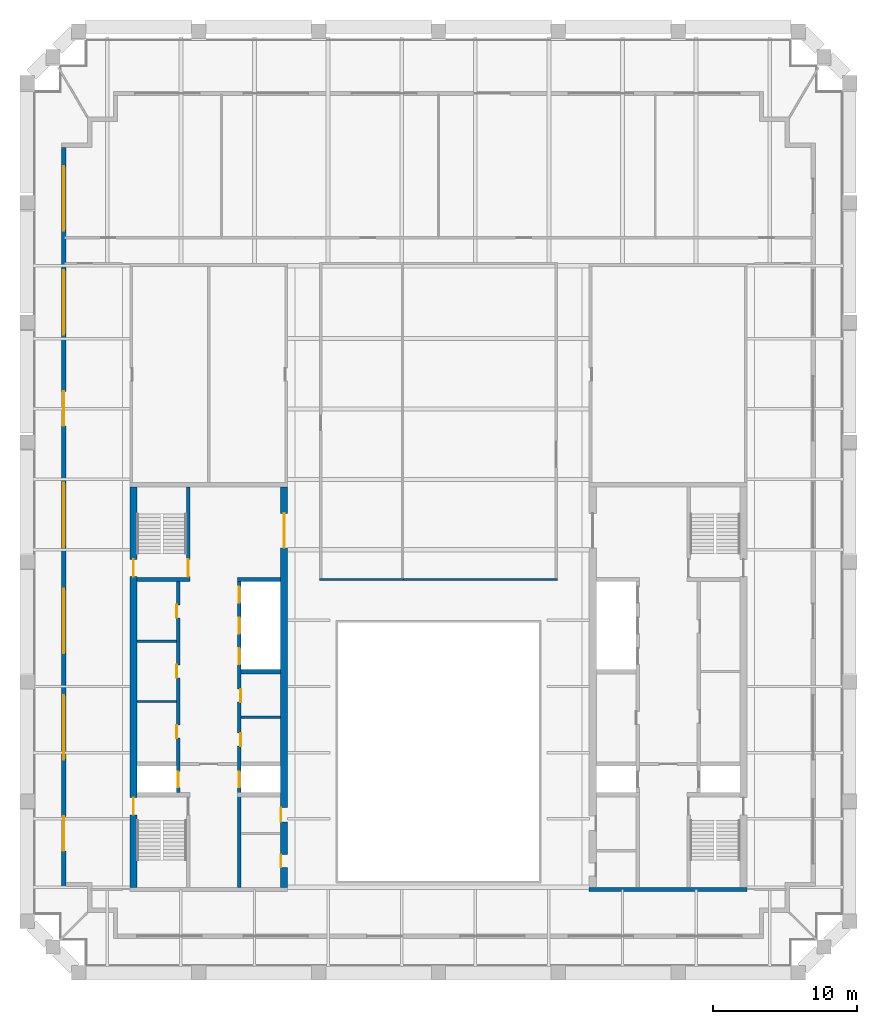
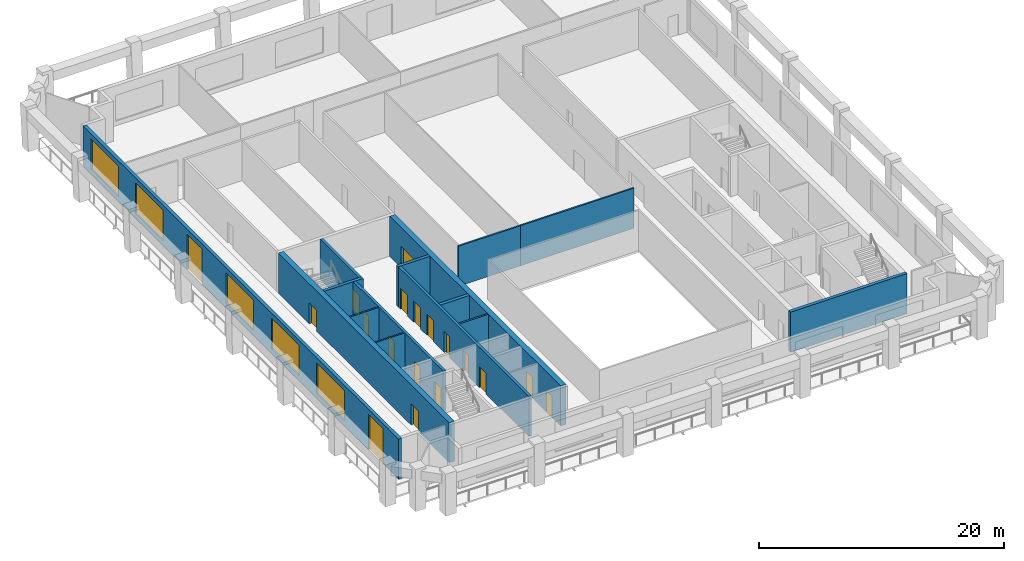
# One storey, part 3 of 7: 18 doors, 15 walls, 5 windows, 23 openings.
"""IFC4 building model written with IfcOpenShell, lengths in metres."""

import ifcopenshell
import ifcopenshell.guid

model = None  # the IFC model being written
_history = None  # IfcOwnerHistory: only IFC2X3 demands one
_inside = {}  # id of a spatial element -> (the spatial element, [elements in it])
_under = {}  # id of a project, library or spatial element -> (it, [spatial elements below it])
_declared = {}  # id of a project -> (the project, [libraries it declares])
_typed = {}  # id of a type object -> (the type object, [elements of that type])
_made_of = {}  # id of a material, layer set ... -> (it, [elements and type objects made of it])


def new_model(schema):
    """Start an empty IFC model of exactly this schema.

    Asked for "IFC4X3", IfcOpenShell would pick the latest addendum, in which some entities
    have other attributes; the version numbers below select the first issue.
    IFC2X3 requires an IfcOwnerHistory on every rooted entity: one is made here for all.
    """
    global model, _history
    if schema == "IFC4X3":
        model = ifcopenshell.file(schema_version=(4, 3, 0, 0))
    else:
        model = ifcopenshell.file(schema=schema)
    _inside.clear()
    _under.clear()
    _declared.clear()
    _typed.clear()
    _made_of.clear()
    _history = None
    if model.schema == "IFC2X3":
        org = make("IfcOrganization", Name="unknown")
        user = make(
            "IfcPersonAndOrganization",
            ThePerson=make("IfcPerson", FamilyName="unknown"),
            TheOrganization=org,
        )
        app = make(
            "IfcApplication",
            ApplicationDeveloper=org,
            Version="unknown",
            ApplicationFullName="unknown",
            ApplicationIdentifier="unknown",
        )
        _history = make(
            "IfcOwnerHistory",
            OwningUser=user,
            OwningApplication=app,
            ChangeAction="ADDED",
            CreationDate=0,
        )
    return model


def make(cls, **values):
    """One entity of the class cls with the attributes given. An attribute that is None is left unset."""
    return model.create_entity(
        cls, **{name: value for name, value in values.items() if value is not None}
    )


def rooted(cls, **values):
    """An entity with a GlobalId (a new one), such as an element, a storey or a relation."""
    return make(cls, GlobalId=ifcopenshell.guid.new(), OwnerHistory=_history, **values)


def si_unit(unit_type, name, prefix=None):
    """IfcSIUnit, for example si_unit("LENGTHUNIT", "METRE", prefix="MILLI")."""
    return make("IfcSIUnit", UnitType=unit_type, Prefix=prefix, Name=name)


def assignment(units):
    """IfcUnitAssignment: the units of a project."""
    return None if units is None else make("IfcUnitAssignment", Units=units)


def point(xyz):
    """IfcCartesianPoint."""
    return None if xyz is None else make("IfcCartesianPoint", Coordinates=xyz)


def direction(xyz):
    """IfcDirection."""
    return None if xyz is None else make("IfcDirection", DirectionRatios=xyz)


def frame(location, z_axis=None, x_axis=None):
    """IfcAxis2Placement3D, a coordinate frame: its origin and axes. An axis left out is left unset."""
    return make(
        "IfcAxis2Placement3D",
        Location=point(location),
        Axis=direction(z_axis),
        RefDirection=direction(x_axis),
    )


def frame_2d(location, x_axis=None):
    """IfcAxis2Placement2D, a coordinate frame in the plane: its origin and x axis."""
    return make(
        "IfcAxis2Placement2D", Location=point(location), RefDirection=direction(x_axis)
    )


def origin():
    """The frame at (0, 0, 0) with its axes left unset."""
    return frame((0.0, 0.0, 0.0))


def place(relative_to, where):
    """IfcLocalPlacement: puts the frame where relative to a parent placement (None: the world)."""
    return make(
        "IfcLocalPlacement", PlacementRelTo=relative_to, RelativePlacement=where
    )


def context(
    kind, dimensions, precision=None, world=None, true_north=None, identifier=None
):
    """IfcGeometricRepresentationContext, for example the 3D "Model" context."""
    return make(
        "IfcGeometricRepresentationContext",
        ContextIdentifier=identifier,
        ContextType=kind,
        CoordinateSpaceDimension=dimensions,
        Precision=precision,
        WorldCoordinateSystem=world,
        TrueNorth=true_north,
    )


def subcontext(parent, identifier, kind, view, scale=None):
    """IfcGeometricRepresentationSubContext, for example "Body" below "Model"."""
    return make(
        "IfcGeometricRepresentationSubContext",
        ContextIdentifier=identifier,
        ContextType=kind,
        ParentContext=parent,
        TargetScale=scale,
        TargetView=view,
    )


def project(units=None, contexts=None):
    """IfcProject with its units and contexts."""
    return rooted(
        "IfcProject",
        Name="project",
        RepresentationContexts=contexts,
        UnitsInContext=assignment(units),
    )


def spatial(cls, under=None, at=None, **own):
    """A site, building, storey or space (cls), placed at a placement, below another one or the project."""
    s = rooted(cls, ObjectPlacement=at, **own)
    if under is not None:
        _under.setdefault(under.id(), (under, []))[1].append(s)
    return s


def profile(cls, at=None, kind="AREA", **sizes):
    """A parametric profile (cls). Its sizes go by their IFC names, for example OverallWidth=200.0."""
    return make(cls, ProfileType=kind, Position=at, **sizes)


def rectangle(**sizes):
    """IfcRectangleProfileDef."""
    return profile("IfcRectangleProfileDef", **sizes)


def extrude(swept, where, along, depth):
    """IfcExtrudedAreaSolid: the profile swept, set in the frame where, extruded along a direction by depth."""
    return make(
        "IfcExtrudedAreaSolid",
        SweptArea=swept,
        Position=where,
        ExtrudedDirection=direction(along),
        Depth=depth,
    )


def shape(context_of_items, identifier, shape_type, items):
    """IfcShapeRepresentation: the items that make up one representation, for example the "Body"."""
    return make(
        "IfcShapeRepresentation",
        ContextOfItems=context_of_items,
        RepresentationIdentifier=identifier,
        RepresentationType=shape_type,
        Items=items,
    )


def material(Name=None, Category=None):
    """IfcMaterial."""
    return make("IfcMaterial", Name=Name, Category=Category)


def layer(
    of_material, thickness, ventilated=None, Name=None, Category=None, Priority=None
):
    """IfcMaterialLayer: one layer of a wall or slab, of a material (None: an air gap)."""
    return make(
        "IfcMaterialLayer",
        Material=of_material,
        LayerThickness=thickness,
        IsVentilated=ventilated,
        Name=Name,
        Category=Category,
        Priority=Priority,
    )


def layer_set(layers, Name=None):
    """IfcMaterialLayerSet."""
    return make("IfcMaterialLayerSet", MaterialLayers=layers, LayerSetName=Name)


def made_of(thing, what):
    """Note that an element or type object is made of a material, layer set ...; save() writes the relation."""
    if what is not None:
        _made_of.setdefault(what.id(), (what, []))[1].append(thing)
    return thing


def type_object(cls, material=None, **own):
    """A type object (cls), such as IfcWallType, which elements share."""
    return made_of(rooted(cls, **own), material)


def element(
    cls,
    number,
    at=None,
    inside=None,
    cuts=None,
    type_object=None,
    material=None,
    context=None,
    identifier="Body",
    shape_type=None,
    held_by="IfcProductDefinitionShape",
    body=None,
    shapes=None,
    **own,
):
    """One element of the class cls, such as IfcWall. Its Tag is "e" and its number.

    at: its placement. inside: the storey or other place that contains it. cuts: it is an
    opening in that element (IfcRelVoidsElement). A single representation is given by context,
    identifier, shape_type and body (its items); several are given by shapes. held_by: the class
    of the entity that holds the representations. save() writes the other relations.
    """
    e = rooted(cls, Tag="e%d" % number, ObjectPlacement=at, **own)
    if body is not None:
        shapes = [shape(context, identifier, shape_type, body)]
    if shapes is not None:
        e.Representation = make(held_by, Representations=shapes)
    if inside is not None:
        _inside.setdefault(inside.id(), (inside, []))[1].append(e)
    if cuts is not None:
        rooted(
            "IfcRelVoidsElement", RelatingBuildingElement=cuts, RelatedOpeningElement=e
        )
    if type_object is not None:
        _typed.setdefault(type_object.id(), (type_object, []))[1].append(e)
    return made_of(e, material)


def fill(opening, filler):
    """IfcRelFillsElement: the door or window that sits in an opening."""
    return rooted(
        "IfcRelFillsElement",
        RelatingOpeningElement=opening,
        RelatedBuildingElement=filler,
    )


def aggregate(whole, parts):
    """IfcRelAggregates: a whole, such as a stair, and the parts it consists of."""
    return rooted("IfcRelAggregates", RelatingObject=whole, RelatedObjects=parts)


def save(model, path):
    """Write the relations noted so far, then the file.

    IfcRelAggregates (storeys below a building ...), IfcRelContainedInSpatialStructure (elements
    in a storey), IfcRelDefinesByType, IfcRelAssociatesMaterial and IfcRelDeclares: one each for
    every whole, place, type object, material and project.
    """
    for whole, parts in _under.values():
        aggregate(whole, parts)
    for where, things in _inside.values():
        rooted(
            "IfcRelContainedInSpatialStructure",
            RelatedElements=things,
            RelatingStructure=where,
        )
    for kind, things in _typed.values():
        rooted("IfcRelDefinesByType", RelatedObjects=things, RelatingType=kind)
    for what, things in _made_of.values():
        rooted("IfcRelAssociatesMaterial", RelatedObjects=things, RelatingMaterial=what)
    for by, libraries in _declared.values():
        rooted("IfcRelDeclares", RelatingContext=by, RelatedDefinitions=libraries)
    model.write(path)


model = new_model("IFC4")

# Units and contexts
model_context = context("Model", 3, precision=1e-05, world=origin(), true_north=direction((0.0, 1.0)))
body_context = subcontext(model_context, "Body", "Model", "MODEL_VIEW")
ifc_project = project(units=[si_unit("LENGTHUNIT", "METRE"), si_unit("AREAUNIT", "SQUARE_METRE"), si_unit("VOLUMEUNIT", "CUBIC_METRE"), si_unit("PLANEANGLEUNIT", "RADIAN"), si_unit("MASSUNIT", "GRAM", prefix="KILO")], contexts=[model_context])

# Site, building, storey
site_placement = place(None, origin())
site = spatial("IfcSite", under=ifc_project, at=site_placement, CompositionType="ELEMENT")
building_placement = place(site_placement, origin())
building = spatial("IfcBuilding", under=site, at=building_placement, Name="Ogive Exchange Tower", CompositionType="ELEMENT")
storey_placement = place(building_placement, frame((0.0, 0.0, 321.60009765625)))
storey = spatial("IfcBuildingStorey", under=building, at=storey_placement, Name="L70", CompositionType="ELEMENT", Elevation=321.60009765625)

# Walls
ifc_material_1 = material(Name="Gypsum board partition")
ifc_layer_1 = layer(ifc_material_1, 0.14990234375)
ifc_layer_set_1 = layer_set([ifc_layer_1], Name="Core room partition 150 gypsum")
wall_type_1 = type_object("IfcWallType", Name="Core room partition 150 gypsum", PredefinedType="PARTITIONING", material=ifc_layer_set_1)
for number, where, z_axis, x_axis, name in (
    (1, (-21.0, 10.5, 0.0), (0.0, 0.0, 1.0), (1.0, 0.0, 0.0), "W row A bay partition 1-1"),
    (2, (-21.0, 14.699951171875, 0.0), (0.0, 0.0, 1.0), (1.0, 0.0, 0.0), "W row A bay partition 1-2"),
    (3, (-13.75, 9.39990234375, 0.0), (0.0, 0.0, 1.0), (1.0, 0.0, 0.0), "W row B bay partition 1-1"),
):
    element("IfcWall", number, at=place(storey_placement, frame(where, z_axis=z_axis, x_axis=x_axis)), inside=storey, type_object=wall_type_1, Name=name, PredefinedType="PARTITIONING", context=body_context, shape_type="SweptSolid", body=[
        extrude(rectangle(XDim=2.75, YDim=0.14990234375, at=frame_2d((1.375, 0.0))), origin(), (0.0, 0.0, 1.0), 4.0),
    ])
ifc_material_2 = material(Name="Fire partition EI 60 150")
ifc_layer_2 = layer(ifc_material_2, 0.14990234375)
ifc_layer_set_2 = layer_set([ifc_layer_2], Name="Fire partition EI 60 150")
wall_type_2 = type_object("IfcWallType", Name="Fire partition EI 60 150", PredefinedType="PARTITIONING", material=ifc_layer_set_2)
wall_1_placement = place(storey_placement, frame((-8.27490234375, 19.0, 0.0), z_axis=(0.0, 0.0, 1.0), x_axis=(1.0, 0.0, 0.0)))
element("IfcWall", 4, at=wall_1_placement, inside=storey, type_object=wall_type_2, Name="L70-PWL-007", PredefinedType="PARTITIONING", context=body_context, shape_type="SweptSolid", body=[
    extrude(rectangle(XDim=5.824951171875, YDim=0.14990234375, at=frame_2d((2.91259765625, 0.0))), origin(), (0.0, 0.0, 1.0), 4.0),
])
wall_2_placement = place(storey_placement, frame((-2.5, 19.0, 0.0), z_axis=(0.0, 0.0, 1.0), x_axis=(1.0, 0.0, 0.0)))
element("IfcWall", 5, at=wall_2_placement, inside=storey, type_object=wall_type_2, Name="L70-PWL-011", PredefinedType="PARTITIONING", context=body_context, shape_type="SweptSolid", body=[
    extrude(rectangle(XDim=10.77490234375, YDim=0.14990234375, at=frame_2d((5.387451171875, 0.0))), origin(), (0.0, 0.0, 1.0), 4.0),
])

# Wall, openings, doors, windows
ifc_material_3 = material(Name="Precast concrete C40/50", Category="concrete")
ifc_layer_3 = layer(ifc_material_3, 0.300048828125)
ifc_layer_set_3 = layer_set([ifc_layer_3], Name="Limestone-faced wall 300")
wall_type_3 = type_object("IfcWallType", Name="Limestone-faced wall 300", PredefinedType="STANDARD", material=ifc_layer_set_3)
wall_3_placement = place(storey_placement, frame((-26.10009765625, 49.10009765625, 0.0), z_axis=(0.0, 0.0, 1.0), x_axis=(0.0, -1.0, 0.0)))
wall_3 = element("IfcWall", 6, at=wall_3_placement, inside=storey, type_object=wall_type_3, Name="External wall W4", PredefinedType="STANDARD", context=body_context, shape_type="SweptSolid", body=[
    extrude(rectangle(XDim=51.5, YDim=0.300048828125, at=frame_2d((25.75, 0.0))), origin(), (0.0, 0.0, 1.0), 4.0),
])
opening_1_placement = place(wall_3_placement, frame((1.300048828125, 0.0, 0.449951171875)))
opening_1 = element("IfcOpeningElement", 7, at=opening_1_placement, cuts=wall_3, Name="Opening W1", PredefinedType="OPENING", context=body_context, shape_type="SweptSolid", body=[
    extrude(rectangle(XDim=4.5, YDim=3.050048828125, at=frame_2d((2.25, 1.52490234375))), frame((0.0, 0.159912109375, 0.0), z_axis=(0.0, -1.0, 0.0), x_axis=(1.0, 0.0, 0.0)), (0.0, 0.0, 1.0), 0.320068359375),
])
opening_2_placement = place(wall_3_placement, frame((8.550048828125, 0.0, 0.449951171875)))
opening_2 = element("IfcOpeningElement", 8, at=opening_2_placement, cuts=wall_3, Name="Opening W1", PredefinedType="OPENING", context=body_context, shape_type="SweptSolid", body=[
    extrude(rectangle(XDim=4.5, YDim=3.050048828125, at=frame_2d((2.25, 1.52490234375))), frame((0.0, 0.159912109375, 0.0), z_axis=(0.0, -1.0, 0.0), x_axis=(1.0, 0.0, 0.0)), (0.0, 0.0, 1.0), 0.320068359375),
])
opening_3_placement = place(wall_3_placement, frame((17.0, 0.0, 0.0)))
opening_3 = element("IfcOpeningElement", 9, at=opening_3_placement, cuts=wall_3, Name="Opening D1", PredefinedType="OPENING", context=body_context, shape_type="SweptSolid", body=[
    extrude(rectangle(XDim=2.39990234375, YDim=3.5, at=frame_2d((1.199951171875, 1.75))), frame((0.0, 0.159912109375, 0.0), z_axis=(0.0, -1.0, 0.0), x_axis=(1.0, 0.0, 0.0)), (0.0, 0.0, 1.0), 0.320068359375),
])
opening_4_placement = place(wall_3_placement, frame((23.35009765625, 0.0, 0.449951171875)))
opening_4 = element("IfcOpeningElement", 10, at=opening_4_placement, cuts=wall_3, Name="Opening W1", PredefinedType="OPENING", context=body_context, shape_type="SweptSolid", body=[
    extrude(rectangle(XDim=4.5, YDim=3.050048828125, at=frame_2d((2.25, 1.52490234375))), frame((0.0, 0.159912109375, 0.0), z_axis=(0.0, -1.0, 0.0), x_axis=(1.0, 0.0, 0.0)), (0.0, 0.0, 1.0), 0.320068359375),
])
opening_5_placement = place(wall_3_placement, frame((30.75, 0.0, 0.449951171875)))
opening_5 = element("IfcOpeningElement", 11, at=opening_5_placement, cuts=wall_3, Name="Opening W1", PredefinedType="OPENING", context=body_context, shape_type="SweptSolid", body=[
    extrude(rectangle(XDim=4.5, YDim=3.050048828125, at=frame_2d((2.25, 1.52490234375))), frame((0.0, 0.159912109375, 0.0), z_axis=(0.0, -1.0, 0.0), x_axis=(1.0, 0.0, 0.0)), (0.0, 0.0, 1.0), 0.320068359375),
])
opening_6_placement = place(wall_3_placement, frame((38.14990234375, 0.0, 0.449951171875)))
opening_6 = element("IfcOpeningElement", 12, at=opening_6_placement, cuts=wall_3, Name="Opening W1", PredefinedType="OPENING", context=body_context, shape_type="SweptSolid", body=[
    extrude(rectangle(XDim=4.5, YDim=3.050048828125, at=frame_2d((2.25, 1.52490234375))), frame((0.0, 0.159912109375, 0.0), z_axis=(0.0, -1.0, 0.0), x_axis=(1.0, 0.0, 0.0)), (0.0, 0.0, 1.0), 0.320068359375),
])
opening_7_placement = place(wall_3_placement, frame((46.60009765625, 0.0, 0.0)))
opening_7 = element("IfcOpeningElement", 13, at=opening_7_placement, cuts=wall_3, Name="Opening D1", PredefinedType="OPENING", context=body_context, shape_type="SweptSolid", body=[
    extrude(rectangle(XDim=2.39990234375, YDim=3.5, at=frame_2d((1.199951171875, 1.75))), frame((0.0, 0.159912109375, 0.0), z_axis=(0.0, -1.0, 0.0), x_axis=(1.0, 0.0, 0.0)), (0.0, 0.0, 1.0), 0.320068359375),
])
ifc_material_4 = material(Name="Clear glass in bronze frame", Category="glass")
door_type_1 = type_object("IfcDoorType", Name="Sliding loggia door 2400 x 3500", OperationType="DOUBLE_DOOR_SLIDING", PredefinedType="DOOR", material=ifc_material_4)
door_1_placement = place(opening_3_placement, origin())
door_1 = element("IfcDoor", 14, at=door_1_placement, inside=storey, type_object=door_type_1, Name="Loggia door W02", OperationType="DOUBLE_DOOR_SLIDING", OverallHeight=3.5, OverallWidth=2.39990234375, PredefinedType="DOOR", context=body_context, shape_type="SweptSolid", body=[
    extrude(rectangle(XDim=2.39990234375, YDim=3.5, at=frame_2d((1.199951171875, 1.75))), frame((0.0, 0.02490234375, 0.0), z_axis=(0.0, -1.0, 0.0), x_axis=(1.0, 0.0, 0.0)), (0.0, 0.0, 1.0), 0.050048828125),
])
fill(opening_3, door_1)
door_2_placement = place(opening_7_placement, origin())
door_2 = element("IfcDoor", 15, at=door_2_placement, inside=storey, type_object=door_type_1, Name="Loggia door W06", OperationType="DOUBLE_DOOR_SLIDING", OverallHeight=3.5, OverallWidth=2.39990234375, PredefinedType="DOOR", context=body_context, shape_type="SweptSolid", body=[
    extrude(rectangle(XDim=2.39990234375, YDim=3.5, at=frame_2d((1.199951171875, 1.75))), frame((0.0, 0.02490234375, 0.0), z_axis=(0.0, -1.0, 0.0), x_axis=(1.0, 0.0, 0.0)), (0.0, 0.0, 1.0), 0.050048828125),
])
fill(opening_7, door_2)
window_type = type_object("IfcWindowType", Name="Twin lancet window 4500 x 3050", PartitioningType="DOUBLE_PANEL_VERTICAL", PredefinedType="WINDOW", material=ifc_material_4)
window_1_placement = place(opening_1_placement, origin())
window_1 = element("IfcWindow", 16, at=window_1_placement, inside=storey, type_object=window_type, Name="Window W00", OverallHeight=3.050048828125, OverallWidth=4.5, PartitioningType="DOUBLE_PANEL_VERTICAL", PredefinedType="WINDOW", context=body_context, shape_type="SweptSolid", body=[
    extrude(rectangle(XDim=4.5, YDim=3.050048828125, at=frame_2d((2.25, 1.52490234375))), frame((0.0, 0.030029296875, 0.0), z_axis=(0.0, -1.0, 0.0), x_axis=(1.0, 0.0, 0.0)), (0.0, 0.0, 1.0), 0.06005859375),
])
fill(opening_1, window_1)
window_2_placement = place(opening_2_placement, origin())
window_2 = element("IfcWindow", 17, at=window_2_placement, inside=storey, type_object=window_type, Name="Window W01", OverallHeight=3.050048828125, OverallWidth=4.5, PartitioningType="DOUBLE_PANEL_VERTICAL", PredefinedType="WINDOW", context=body_context, shape_type="SweptSolid", body=[
    extrude(rectangle(XDim=4.5, YDim=3.050048828125, at=frame_2d((2.25, 1.52490234375))), frame((0.0, 0.030029296875, 0.0), z_axis=(0.0, -1.0, 0.0), x_axis=(1.0, 0.0, 0.0)), (0.0, 0.0, 1.0), 0.06005859375),
])
fill(opening_2, window_2)
window_3_placement = place(opening_4_placement, origin())
window_3 = element("IfcWindow", 18, at=window_3_placement, inside=storey, type_object=window_type, Name="Window W03", OverallHeight=3.050048828125, OverallWidth=4.5, PartitioningType="DOUBLE_PANEL_VERTICAL", PredefinedType="WINDOW", context=body_context, shape_type="SweptSolid", body=[
    extrude(rectangle(XDim=4.5, YDim=3.050048828125, at=frame_2d((2.25, 1.52490234375))), frame((0.0, 0.030029296875, 0.0), z_axis=(0.0, -1.0, 0.0), x_axis=(1.0, 0.0, 0.0)), (0.0, 0.0, 1.0), 0.06005859375),
])
fill(opening_4, window_3)
window_4_placement = place(opening_5_placement, origin())
window_4 = element("IfcWindow", 19, at=window_4_placement, inside=storey, type_object=window_type, Name="Window W04", OverallHeight=3.050048828125, OverallWidth=4.5, PartitioningType="DOUBLE_PANEL_VERTICAL", PredefinedType="WINDOW", context=body_context, shape_type="SweptSolid", body=[
    extrude(rectangle(XDim=4.5, YDim=3.050048828125, at=frame_2d((2.25, 1.52490234375))), frame((0.0, 0.030029296875, 0.0), z_axis=(0.0, -1.0, 0.0), x_axis=(1.0, 0.0, 0.0)), (0.0, 0.0, 1.0), 0.06005859375),
])
fill(opening_5, window_4)
window_5_placement = place(opening_6_placement, origin())
window_5 = element("IfcWindow", 20, at=window_5_placement, inside=storey, type_object=window_type, Name="Window W05", OverallHeight=3.050048828125, OverallWidth=4.5, PartitioningType="DOUBLE_PANEL_VERTICAL", PredefinedType="WINDOW", context=body_context, shape_type="SweptSolid", body=[
    extrude(rectangle(XDim=4.5, YDim=3.050048828125, at=frame_2d((2.25, 1.52490234375))), frame((0.0, 0.030029296875, 0.0), z_axis=(0.0, -1.0, 0.0), x_axis=(1.0, 0.0, 0.0)), (0.0, 0.0, 1.0), 0.06005859375),
])
fill(opening_6, window_5)

# Wall, opening, door
ifc_material_5 = material(Name="Concrete C70/85", Category="concrete")
ifc_layer_4 = layer(ifc_material_5, 0.25)
ifc_layer_set_4 = layer_set([ifc_layer_4], Name="RC core wall 250 C70/85")
wall_type_4 = type_object("IfcWallType", Name="RC core wall 250 C70/85", PredefinedType="SHEAR", material=ifc_layer_set_4)
wall_4_placement = place(storey_placement, frame((-17.425048828125, 19.14990234375, 0.0), z_axis=(0.0, 0.0, 1.0), x_axis=(0.0, 1.0, 0.0)))
wall_4 = element("IfcWall", 21, at=wall_4_placement, inside=storey, type_object=wall_type_4, Name="W stair N front wall", PredefinedType="SHEAR", context=body_context, shape_type="SweptSolid", body=[
    extrude(rectangle(XDim=6.300048828125, YDim=0.25, at=frame_2d((3.14990234375, 0.0))), origin(), (0.0, 0.0, 1.0), 4.0),
])
opening_8_placement = place(wall_4_placement, frame((0.050048828125, 0.0, 0.0)))
opening_8 = element("IfcOpeningElement", 22, at=opening_8_placement, cuts=wall_4, Name="Opening L70-C15", PredefinedType="OPENING", context=body_context, shape_type="SweptSolid", body=[
    extrude(rectangle(XDim=1.199951171875, YDim=2.10009765625, at=frame_2d((0.60009765625, 1.050048828125))), frame((0.0, 0.135009765625, 0.0), z_axis=(0.0, -1.0, 0.0), x_axis=(1.0, 0.0, 0.0)), (0.0, 0.0, 1.0), 0.27001953125),
])
ifc_material_6 = material(Name="Steel fire door", Category="steel")
door_type_2 = type_object("IfcDoorType", Name="Stair door FD90 1200 x 2100", OperationType="NOTDEFINED", PredefinedType="DOOR", material=ifc_material_6)
door_3_placement = place(opening_8_placement, origin())
door_3 = element("IfcDoor", 23, at=door_3_placement, inside=storey, type_object=door_type_2, Name="Stair door", ObjectType="CD5", OperationType="SINGLE_SWING_RIGHT", OverallHeight=2.10009765625, OverallWidth=1.199951171875, PredefinedType="DOOR", context=body_context, shape_type="SweptSolid", body=[
    extrude(rectangle(XDim=1.199951171875, YDim=2.10009765625, at=frame_2d((0.60009765625, 1.050048828125))), frame((0.0, 0.02490234375, 0.0), z_axis=(0.0, -1.0, 0.0), x_axis=(1.0, 0.0, 0.0)), (0.0, 0.0, 1.0), 0.050048828125),
])
fill(opening_8, door_3)

# Wall, openings, doors
wall_5_placement = place(storey_placement, frame((-18.125, 4.14990234375, 0.0), z_axis=(0.0, 0.0, 1.0), x_axis=(0.0, 1.0, 0.0)))
wall_5 = element("IfcWall", 24, at=wall_5_placement, inside=storey, type_object=wall_type_4, Name="W row A front wall", PredefinedType="SHEAR", context=body_context, shape_type="SweptSolid", body=[
    extrude(rectangle(XDim=14.7001953125, YDim=0.25, at=frame_2d((7.35009765625, 0.0))), origin(), (0.0, 0.0, 1.0), 4.0),
])
opening_9_placement = place(wall_5_placement, frame((3.79638671875, 0.0, 0.0)))
opening_9 = element("IfcOpeningElement", 25, at=opening_9_placement, cuts=wall_5, Name="Opening L70-C01", PredefinedType="OPENING", context=body_context, shape_type="SweptSolid", body=[
    extrude(rectangle(XDim=0.89990234375, YDim=2.10009765625, at=frame_2d((0.449951171875, 1.050048828125))), frame((0.0, 0.135009765625, 0.0), z_axis=(0.0, -1.0, 0.0), x_axis=(1.0, 0.0, 0.0)), (0.0, 0.0, 1.0), 0.27001953125),
])
opening_10_placement = place(wall_5_placement, frame((8.0, 0.0, 0.0)))
opening_10 = element("IfcOpeningElement", 26, at=opening_10_placement, cuts=wall_5, Name="Opening L70-C02", PredefinedType="OPENING", context=body_context, shape_type="SweptSolid", body=[
    extrude(rectangle(XDim=0.89990234375, YDim=2.10009765625, at=frame_2d((0.449951171875, 1.050048828125))), frame((0.0, 0.135009765625, 0.0), z_axis=(0.0, -1.0, 0.0), x_axis=(1.0, 0.0, 0.0)), (0.0, 0.0, 1.0), 0.27001953125),
])
opening_11_placement = place(wall_5_placement, frame((12.175048828125, 0.0, 0.0)))
opening_11 = element("IfcOpeningElement", 27, at=opening_11_placement, cuts=wall_5, Name="Opening L70-C03", PredefinedType="OPENING", context=body_context, shape_type="SweptSolid", body=[
    extrude(rectangle(XDim=0.89990234375, YDim=2.10009765625, at=frame_2d((0.449951171875, 1.050048828125))), frame((0.0, 0.135009765625, 0.0), z_axis=(0.0, -1.0, 0.0), x_axis=(1.0, 0.0, 0.0)), (0.0, 0.0, 1.0), 0.27001953125),
])
opening_12_placement = place(wall_5_placement, frame((0.371337890625, 0.0, 0.0)))
opening_12 = element("IfcOpeningElement", 28, at=opening_12_placement, cuts=wall_5, Name="Opening L70-C04", PredefinedType="OPENING", context=body_context, shape_type="SweptSolid", body=[
    extrude(rectangle(XDim=1.10009765625, YDim=2.10009765625, at=frame_2d((0.550048828125, 1.050048828125))), frame((0.0, 0.135009765625, 0.0), z_axis=(0.0, -1.0, 0.0), x_axis=(1.0, 0.0, 0.0)), (0.0, 0.0, 1.0), 0.27001953125),
])
ifc_material_7 = material(Name="Stainless steel", Category="steel")
door_type_3 = type_object("IfcDoorType", Name="Lift landing door FD90 1100 x 2100", OperationType="SLIDING_TO_LEFT", PredefinedType="DOOR", material=ifc_material_7)
door_4_placement = place(opening_12_placement, origin())
door_4 = element("IfcDoor", 29, at=door_4_placement, inside=storey, type_object=door_type_3, Name="Lift landing door FF1", ObjectType="LD", OperationType="SLIDING_TO_LEFT", OverallHeight=2.10009765625, OverallWidth=1.10009765625, PredefinedType="DOOR", context=body_context, shape_type="SweptSolid", body=[
    extrude(rectangle(XDim=1.10009765625, YDim=2.10009765625, at=frame_2d((0.550048828125, 1.050048828125))), frame((0.0, 0.02490234375, 0.0), z_axis=(0.0, -1.0, 0.0), x_axis=(1.0, 0.0, 0.0)), (0.0, 0.0, 1.0), 0.050048828125),
])
fill(opening_12, door_4)
door_type_4 = type_object("IfcDoorType", Name="Riser door FD60 900 x 2100", OperationType="NOTDEFINED", PredefinedType="DOOR", material=ifc_material_6)
door_5_placement = place(opening_9_placement, origin())
door_5 = element("IfcDoor", 30, at=door_5_placement, inside=storey, type_object=door_type_4, Name="Riser door", ObjectType="CD2", OperationType="SINGLE_SWING_LEFT", OverallHeight=2.10009765625, OverallWidth=0.89990234375, PredefinedType="DOOR", context=body_context, shape_type="SweptSolid", body=[
    extrude(rectangle(XDim=0.89990234375, YDim=2.10009765625, at=frame_2d((0.449951171875, 1.050048828125))), frame((0.0, 0.125, 0.0), z_axis=(0.0, -1.0, 0.0), x_axis=(1.0, 0.0, 0.0)), (0.0, 0.0, 1.0), 0.050048828125),
])
fill(opening_9, door_5)
door_6_placement = place(opening_10_placement, origin())
door_6 = element("IfcDoor", 31, at=door_6_placement, inside=storey, type_object=door_type_4, Name="Riser door", ObjectType="CD2", OperationType="SINGLE_SWING_LEFT", OverallHeight=2.10009765625, OverallWidth=0.89990234375, PredefinedType="DOOR", context=body_context, shape_type="SweptSolid", body=[
    extrude(rectangle(XDim=0.89990234375, YDim=2.10009765625, at=frame_2d((0.449951171875, 1.050048828125))), frame((0.0, 0.125, 0.0), z_axis=(0.0, -1.0, 0.0), x_axis=(1.0, 0.0, 0.0)), (0.0, 0.0, 1.0), 0.050048828125),
])
fill(opening_10, door_6)
door_7_placement = place(opening_11_placement, origin())
door_7 = element("IfcDoor", 32, at=door_7_placement, inside=storey, type_object=door_type_4, Name="Riser door", ObjectType="CD2", OperationType="SINGLE_SWING_LEFT", OverallHeight=2.10009765625, OverallWidth=0.89990234375, PredefinedType="DOOR", context=body_context, shape_type="SweptSolid", body=[
    extrude(rectangle(XDim=0.89990234375, YDim=2.10009765625, at=frame_2d((0.449951171875, 1.050048828125))), frame((0.0, 0.125, 0.0), z_axis=(0.0, -1.0, 0.0), x_axis=(1.0, 0.0, 0.0)), (0.0, 0.0, 1.0), 0.050048828125),
])
fill(opening_11, door_7)

wall_6_placement = place(storey_placement, frame((-13.875, -2.449951171875, 0.0), z_axis=(0.0, 0.0, 1.0), x_axis=(0.0, 1.0, 0.0)))
wall_6 = element("IfcWall", 33, at=wall_6_placement, inside=storey, type_object=wall_type_4, Name="W row B front wall", PredefinedType="SHEAR", context=body_context, shape_type="SweptSolid", body=[
    extrude(rectangle(XDim=21.300048828125, YDim=0.25, at=frame_2d((10.64990234375, 0.0))), origin(), (0.0, 0.0, 1.0), 4.0),
])
opening_13_placement = place(wall_6_placement, frame((9.846435546875, 0.0, 0.0)))
opening_13 = element("IfcOpeningElement", 34, at=opening_13_placement, cuts=wall_6, Name="Opening L70-C05", PredefinedType="OPENING", context=body_context, shape_type="SweptSolid", body=[
    extrude(rectangle(XDim=0.89990234375, YDim=2.10009765625, at=frame_2d((0.449951171875, 1.050048828125))), frame((0.0, 0.135009765625, 0.0), z_axis=(0.0, -1.0, 0.0), x_axis=(1.0, 0.0, 0.0)), (0.0, 0.0, 1.0), 0.27001953125),
])
opening_14_placement = place(wall_6_placement, frame((12.91064453125, 0.0, 0.0)))
opening_14 = element("IfcOpeningElement", 35, at=opening_14_placement, cuts=wall_6, Name="Opening L70-C06", PredefinedType="OPENING", context=body_context, shape_type="SweptSolid", body=[
    extrude(rectangle(XDim=0.89990234375, YDim=2.10009765625, at=frame_2d((0.449951171875, 1.050048828125))), frame((0.0, 0.135009765625, 0.0), z_axis=(0.0, -1.0, 0.0), x_axis=(1.0, 0.0, 0.0)), (0.0, 0.0, 1.0), 0.27001953125),
])
opening_15_placement = place(wall_6_placement, frame((6.971435546875, 0.0, 0.0)))
opening_15 = element("IfcOpeningElement", 36, at=opening_15_placement, cuts=wall_6, Name="Opening L70-C07", PredefinedType="OPENING", context=body_context, shape_type="SweptSolid", body=[
    extrude(rectangle(XDim=1.10009765625, YDim=2.10009765625, at=frame_2d((0.550048828125, 1.050048828125))), frame((0.0, 0.135009765625, 0.0), z_axis=(0.0, -1.0, 0.0), x_axis=(1.0, 0.0, 0.0)), (0.0, 0.0, 1.0), 0.27001953125),
])
opening_16_placement = place(wall_6_placement, frame((15.54296875, 0.0, 0.0)))
opening_16 = element("IfcOpeningElement", 37, at=opening_16_placement, cuts=wall_6, Name="Opening L70-C08", PredefinedType="OPENING", context=body_context, shape_type="SweptSolid", body=[
    extrude(rectangle(XDim=1.10009765625, YDim=2.10009765625, at=frame_2d((0.550048828125, 1.050048828125))), frame((0.0, 0.135009765625, 0.0), z_axis=(0.0, -1.0, 0.0), x_axis=(1.0, 0.0, 0.0)), (0.0, 0.0, 1.0), 0.27001953125),
])
opening_17_placement = place(wall_6_placement, frame((17.685791015625, 0.0, 0.0)))
opening_17 = element("IfcOpeningElement", 38, at=opening_17_placement, cuts=wall_6, Name="Opening L70-C09", PredefinedType="OPENING", context=body_context, shape_type="SweptSolid", body=[
    extrude(rectangle(XDim=1.10009765625, YDim=2.10009765625, at=frame_2d((0.550048828125, 1.050048828125))), frame((0.0, 0.135009765625, 0.0), z_axis=(0.0, -1.0, 0.0), x_axis=(1.0, 0.0, 0.0)), (0.0, 0.0, 1.0), 0.27001953125),
])
opening_18_placement = place(wall_6_placement, frame((19.82861328125, 0.0, 0.0)))
opening_18 = element("IfcOpeningElement", 39, at=opening_18_placement, cuts=wall_6, Name="Opening L70-C10", PredefinedType="OPENING", context=body_context, shape_type="SweptSolid", body=[
    extrude(rectangle(XDim=1.10009765625, YDim=2.10009765625, at=frame_2d((0.550048828125, 1.050048828125))), frame((0.0, 0.135009765625, 0.0), z_axis=(0.0, -1.0, 0.0), x_axis=(1.0, 0.0, 0.0)), (0.0, 0.0, 1.0), 0.27001953125),
])
ifc_material_8 = material(Name="Timber fire door", Category="wood")
door_type_5 = type_object("IfcDoorType", Name="Core room door FD30S 900 x 2100", OperationType="NOTDEFINED", PredefinedType="DOOR", material=ifc_material_8)
door_8_placement = place(opening_13_placement, frame((0.89990234375, -0.2001953125, 0.0), z_axis=(0.0, 0.0, 1.0), x_axis=(-1.0, 0.0, 0.0)))
door_8 = element("IfcDoor", 40, at=door_8_placement, inside=storey, type_object=door_type_5, Name="Core room door", ObjectType="CD6", OperationType="SINGLE_SWING_LEFT", OverallHeight=2.10009765625, OverallWidth=0.89990234375, PredefinedType="DOOR", context=body_context, shape_type="SweptSolid", body=[
    extrude(rectangle(XDim=0.89990234375, YDim=2.10009765625, at=frame_2d((0.449951171875, 1.050048828125))), frame((0.0, -0.0751953125, 0.0), z_axis=(0.0, -1.0, 0.0), x_axis=(1.0, 0.0, 0.0)), (0.0, 0.0, 1.0), 0.050048828125),
])
fill(opening_13, door_8)
door_9_placement = place(opening_15_placement, origin())
door_9 = element("IfcDoor", 41, at=door_9_placement, inside=storey, type_object=door_type_3, Name="Lift landing door SV1", ObjectType="LD", OperationType="SLIDING_TO_LEFT", OverallHeight=2.10009765625, OverallWidth=1.10009765625, PredefinedType="DOOR", context=body_context, shape_type="SweptSolid", body=[
    extrude(rectangle(XDim=1.10009765625, YDim=2.10009765625, at=frame_2d((0.550048828125, 1.050048828125))), frame((0.0, 0.02490234375, 0.0), z_axis=(0.0, -1.0, 0.0), x_axis=(1.0, 0.0, 0.0)), (0.0, 0.0, 1.0), 0.050048828125),
])
fill(opening_15, door_9)
door_10_placement = place(opening_16_placement, origin())
door_10 = element("IfcDoor", 42, at=door_10_placement, inside=storey, type_object=door_type_3, Name="Lift landing door W-H1", ObjectType="LD", OperationType="SLIDING_TO_LEFT", OverallHeight=2.10009765625, OverallWidth=1.10009765625, PredefinedType="DOOR", context=body_context, shape_type="SweptSolid", body=[
    extrude(rectangle(XDim=1.10009765625, YDim=2.10009765625, at=frame_2d((0.550048828125, 1.050048828125))), frame((0.0, 0.02490234375, 0.0), z_axis=(0.0, -1.0, 0.0), x_axis=(1.0, 0.0, 0.0)), (0.0, 0.0, 1.0), 0.050048828125),
])
fill(opening_16, door_10)
door_11_placement = place(opening_17_placement, origin())
door_11 = element("IfcDoor", 43, at=door_11_placement, inside=storey, type_object=door_type_3, Name="Lift landing door W-H2", ObjectType="LD", OperationType="SLIDING_TO_LEFT", OverallHeight=2.10009765625, OverallWidth=1.10009765625, PredefinedType="DOOR", context=body_context, shape_type="SweptSolid", body=[
    extrude(rectangle(XDim=1.10009765625, YDim=2.10009765625, at=frame_2d((0.550048828125, 1.050048828125))), frame((0.0, 0.02490234375, 0.0), z_axis=(0.0, -1.0, 0.0), x_axis=(1.0, 0.0, 0.0)), (0.0, 0.0, 1.0), 0.050048828125),
])
fill(opening_17, door_11)
door_12_placement = place(opening_18_placement, origin())
door_12 = element("IfcDoor", 44, at=door_12_placement, inside=storey, type_object=door_type_3, Name="Lift landing door W-H3", ObjectType="LD", OperationType="SLIDING_TO_LEFT", OverallHeight=2.10009765625, OverallWidth=1.10009765625, PredefinedType="DOOR", context=body_context, shape_type="SweptSolid", body=[
    extrude(rectangle(XDim=1.10009765625, YDim=2.10009765625, at=frame_2d((0.550048828125, 1.050048828125))), frame((0.0, 0.02490234375, 0.0), z_axis=(0.0, -1.0, 0.0), x_axis=(1.0, 0.0, 0.0)), (0.0, 0.0, 1.0), 0.050048828125),
])
fill(opening_18, door_12)
door_13_placement = place(opening_14_placement, frame((0.89990234375, -0.2001953125, 0.0), z_axis=(0.0, 0.0, 1.0), x_axis=(-1.0, 0.0, 0.0)))
door_13 = element("IfcDoor", 45, at=door_13_placement, inside=storey, type_object=door_type_4, Name="Riser door", ObjectType="CD2", OperationType="SINGLE_SWING_LEFT", OverallHeight=2.10009765625, OverallWidth=0.89990234375, PredefinedType="DOOR", context=body_context, shape_type="SweptSolid", body=[
    extrude(rectangle(XDim=0.89990234375, YDim=2.10009765625, at=frame_2d((0.449951171875, 1.050048828125))), frame((0.0, -0.0751953125, 0.0), z_axis=(0.0, -1.0, 0.0), x_axis=(1.0, 0.0, 0.0)), (0.0, 0.0, 1.0), 0.050048828125),
])
fill(opening_14, door_13)

# Walls
ifc_layer_5 = layer(ifc_material_5, 0.300048828125)
ifc_layer_set_5 = layer_set([ifc_layer_5], Name="RC core wall 300 C70/85")
wall_type_5 = type_object("IfcWallType", Name="RC core wall 300 C70/85", PredefinedType="SHEAR", material=ifc_layer_set_5)
wall_7_placement = place(storey_placement, frame((-21.0, 19.0, 0.0), z_axis=(0.0, 0.0, 1.0), x_axis=(1.0, 0.0, 0.0)))
element("IfcWall", 46, at=wall_7_placement, inside=storey, type_object=wall_type_5, Name="W stair N south wall", PredefinedType="SHEAR", context=body_context, shape_type="SweptSolid", body=[
    extrude(rectangle(XDim=3.699951171875, YDim=0.300048828125, at=frame_2d((1.85009765625, 0.0))), origin(), (0.0, 0.0, 1.0), 4.0),
])
wall_8_placement = place(storey_placement, frame((-13.75, 12.5712890625, 0.0), z_axis=(0.0, 0.0, 1.0), x_axis=(1.0, 0.0, 0.0)))
element("IfcWall", 47, at=wall_8_placement, inside=storey, type_object=wall_type_5, Name="W row B divider 4", PredefinedType="SHEAR", context=body_context, shape_type="SweptSolid", body=[
    extrude(rectangle(XDim=2.75, YDim=0.300048828125, at=frame_2d((1.375, 0.0))), origin(), (0.0, 0.0, 1.0), 4.0),
])
wall_9_placement = place(storey_placement, frame((-14.0, 19.0, 0.0), z_axis=(0.0, 0.0, 1.0), x_axis=(1.0, 0.0, 0.0)))
element("IfcWall", 48, at=wall_9_placement, inside=storey, type_object=wall_type_5, Name="W row B divider 7", PredefinedType="SHEAR", context=body_context, shape_type="SweptSolid", body=[
    extrude(rectangle(XDim=3.0, YDim=0.300048828125, at=frame_2d((1.5, 0.0))), origin(), (0.0, 0.0, 1.0), 4.0),
])
wall_10_placement = place(storey_placement, frame((10.5, -2.60009765625, 0.0), z_axis=(0.0, 0.0, 1.0), x_axis=(1.0, 0.0, 0.0)))
element("IfcWall", 49, at=wall_10_placement, inside=storey, type_object=wall_type_5, Name="E south end wall", PredefinedType="SHEAR", context=body_context, shape_type="SweptSolid", body=[
    extrude(rectangle(XDim=11.0, YDim=0.300048828125, at=frame_2d((5.5, 0.0))), origin(), (0.0, 0.0, 1.0), 4.0),
])

# Wall, openings, doors
ifc_layer_6 = layer(ifc_material_5, 0.5)
ifc_layer_set_6 = layer_set([ifc_layer_6], Name="RC core wall 500 C70/85")
wall_type_6 = type_object("IfcWallType", Name="RC core wall 500 C70/85", PredefinedType="SHEAR", material=ifc_layer_set_6)
wall_11_placement = place(storey_placement, frame((-21.25, -2.449951171875, 0.0), z_axis=(0.0, 0.0, 1.0), x_axis=(0.0, 1.0, 0.0)))
wall_11 = element("IfcWall", 50, at=wall_11_placement, inside=storey, type_object=wall_type_6, Name="W outer wall", PredefinedType="SHEAR", context=body_context, shape_type="SweptSolid", body=[
    extrude(rectangle(XDim=27.89990234375, YDim=0.5, at=frame_2d((13.949951171875, 0.0))), origin(), (0.0, 0.0, 1.0), 4.0),
])
opening_19_placement = place(wall_11_placement, frame((5.050048828125, 0.0, 0.0)))
opening_19 = element("IfcOpeningElement", 51, at=opening_19_placement, cuts=wall_11, Name="Opening L70-C14", PredefinedType="OPENING", context=body_context, shape_type="SweptSolid", body=[
    extrude(rectangle(XDim=1.199951171875, YDim=2.10009765625, at=frame_2d((0.60009765625, 1.050048828125))), frame((0.0, 0.260009765625, 0.0), z_axis=(0.0, -1.0, 0.0), x_axis=(1.0, 0.0, 0.0)), (0.0, 0.0, 1.0), 0.52001953125),
])
opening_20_placement = place(wall_11_placement, frame((21.64990234375, 0.0, 0.0)))
opening_20 = element("IfcOpeningElement", 52, at=opening_20_placement, cuts=wall_11, Name="Opening L70-C16", PredefinedType="OPENING", context=body_context, shape_type="SweptSolid", body=[
    extrude(rectangle(XDim=1.199951171875, YDim=2.10009765625, at=frame_2d((0.60009765625, 1.050048828125))), frame((0.0, 0.260009765625, 0.0), z_axis=(0.0, -1.0, 0.0), x_axis=(1.0, 0.0, 0.0)), (0.0, 0.0, 1.0), 0.52001953125),
])
door_14_placement = place(opening_19_placement, origin())
door_14 = element("IfcDoor", 53, at=door_14_placement, inside=storey, type_object=door_type_2, Name="Stair door", ObjectType="CD5", OperationType="SINGLE_SWING_LEFT", OverallHeight=2.10009765625, OverallWidth=1.199951171875, PredefinedType="DOOR", context=body_context, shape_type="SweptSolid", body=[
    extrude(rectangle(XDim=1.199951171875, YDim=2.10009765625, at=frame_2d((0.60009765625, 1.050048828125))), frame((0.0, 0.02490234375, 0.0), z_axis=(0.0, -1.0, 0.0), x_axis=(1.0, 0.0, 0.0)), (0.0, 0.0, 1.0), 0.050048828125),
])
fill(opening_19, door_14)
door_15_placement = place(opening_20_placement, origin())
door_15 = element("IfcDoor", 54, at=door_15_placement, inside=storey, type_object=door_type_2, Name="Stair door", ObjectType="CD5", OperationType="SINGLE_SWING_LEFT", OverallHeight=2.10009765625, OverallWidth=1.199951171875, PredefinedType="DOOR", context=body_context, shape_type="SweptSolid", body=[
    extrude(rectangle(XDim=1.199951171875, YDim=2.10009765625, at=frame_2d((0.60009765625, 1.050048828125))), frame((0.0, 0.02490234375, 0.0), z_axis=(0.0, -1.0, 0.0), x_axis=(1.0, 0.0, 0.0)), (0.0, 0.0, 1.0), 0.050048828125),
])
fill(opening_20, door_15)

wall_12_placement = place(storey_placement, frame((-10.75, -2.449951171875, 0.0), z_axis=(0.0, 0.0, 1.0), x_axis=(0.0, 1.0, 0.0)))
wall_12 = element("IfcWall", 55, at=wall_12_placement, inside=storey, type_object=wall_type_6, Name="W inner wall", PredefinedType="SHEAR", context=body_context, shape_type="SweptSolid", body=[
    extrude(rectangle(XDim=27.89990234375, YDim=0.5, at=frame_2d((13.949951171875, 0.0))), origin(), (0.0, 0.0, 1.0), 4.0),
])
opening_21_placement = place(wall_12_placement, frame((23.64990234375, 0.0, 0.0)))
opening_21 = element("IfcOpeningElement", 56, at=opening_21_placement, cuts=wall_12, Name="Opening L70-C12", PredefinedType="OPENING", context=body_context, shape_type="SweptSolid", body=[
    extrude(rectangle(XDim=2.39990234375, YDim=2.10009765625, at=frame_2d((1.199951171875, 1.050048828125))), frame((0.0, 0.260009765625, 0.0), z_axis=(0.0, -1.0, 0.0), x_axis=(1.0, 0.0, 0.0)), (0.0, 0.0, 1.0), 0.52001953125),
])
opening_22_placement = place(wall_12_placement, frame((1.387451171875, 0.0, 0.0)))
opening_22 = element("IfcOpeningElement", 57, at=opening_22_placement, cuts=wall_12, Name="Opening L70-C17", PredefinedType="OPENING", context=body_context, shape_type="SweptSolid", body=[
    extrude(rectangle(XDim=0.89990234375, YDim=2.10009765625, at=frame_2d((0.449951171875, 1.050048828125))), frame((0.0, 0.260009765625, 0.0), z_axis=(0.0, -1.0, 0.0), x_axis=(1.0, 0.0, 0.0)), (0.0, 0.0, 1.0), 0.52001953125),
])
opening_23_placement = place(wall_12_placement, frame((4.5625, 0.0, 0.0)))
opening_23 = element("IfcOpeningElement", 58, at=opening_23_placement, cuts=wall_12, Name="Opening L70-C18", PredefinedType="OPENING", context=body_context, shape_type="SweptSolid", body=[
    extrude(rectangle(XDim=1.0, YDim=2.10009765625, at=frame_2d((0.5, 1.050048828125))), frame((0.0, 0.260009765625, 0.0), z_axis=(0.0, -1.0, 0.0), x_axis=(1.0, 0.0, 0.0)), (0.0, 0.0, 1.0), 0.52001953125),
])
door_type_6 = type_object("IfcDoorType", Name="Accessible WC door FD30S 1000 x 2100", OperationType="NOTDEFINED", PredefinedType="DOOR", material=ifc_material_8)
door_16_placement = place(opening_23_placement, frame((1.0, 0.4501953125, 0.0), z_axis=(0.0, 0.0, 1.0), x_axis=(-1.0, 0.0, 0.0)))
door_16 = element("IfcDoor", 59, at=door_16_placement, inside=storey, type_object=door_type_6, Name="Accessible WC door", ObjectType="CD7", OperationType="SINGLE_SWING_LEFT", OverallHeight=2.10009765625, OverallWidth=1.0, PredefinedType="DOOR", context=body_context, shape_type="SweptSolid", body=[
    extrude(rectangle(XDim=1.0, YDim=2.10009765625, at=frame_2d((0.5, 1.050048828125))), frame((0.0, 0.25, 0.0), z_axis=(0.0, -1.0, 0.0), x_axis=(1.0, 0.0, 0.0)), (0.0, 0.0, 1.0), 0.050048828125),
])
fill(opening_23, door_16)
door_17_placement = place(opening_22_placement, frame((0.89990234375, 0.4501953125, 0.0), z_axis=(0.0, 0.0, 1.0), x_axis=(-1.0, 0.0, 0.0)))
door_17 = element("IfcDoor", 60, at=door_17_placement, inside=storey, type_object=door_type_5, Name="Core room door", ObjectType="CD6", OperationType="SINGLE_SWING_RIGHT", OverallHeight=2.10009765625, OverallWidth=0.89990234375, PredefinedType="DOOR", context=body_context, shape_type="SweptSolid", body=[
    extrude(rectangle(XDim=0.89990234375, YDim=2.10009765625, at=frame_2d((0.449951171875, 1.050048828125))), frame((0.0, 0.25, 0.0), z_axis=(0.0, -1.0, 0.0), x_axis=(1.0, 0.0, 0.0)), (0.0, 0.0, 1.0), 0.050048828125),
])
fill(opening_22, door_17)
ifc_material_9 = material(Name="Glazed steel fire door", Category="steel")
door_type_7 = type_object("IfcDoorType", Name="Lift lobby double door FD60 2400 x 2100", OperationType="DOUBLE_DOOR_SINGLE_SWING", PredefinedType="DOOR", material=ifc_material_9)
door_18_placement = place(opening_21_placement, frame((2.39990234375, 0.0, 0.0), z_axis=(0.0, 0.0, 1.0), x_axis=(-1.0, 0.0, 0.0)))
door_18 = element("IfcDoor", 61, at=door_18_placement, inside=storey, type_object=door_type_7, Name="Lift lobby double door", ObjectType="CD4", OperationType="DOUBLE_DOOR_SINGLE_SWING", OverallHeight=2.10009765625, OverallWidth=2.39990234375, PredefinedType="DOOR", context=body_context, shape_type="SweptSolid", body=[
    extrude(rectangle(XDim=2.39990234375, YDim=2.10009765625, at=frame_2d((1.199951171875, 1.050048828125))), frame((0.0, 0.02490234375, 0.0), z_axis=(0.0, -1.0, 0.0), x_axis=(1.0, 0.0, 0.0)), (0.0, 0.0, 1.0), 0.050048828125),
])
fill(opening_21, door_18)

save(model, "model.ifc")
